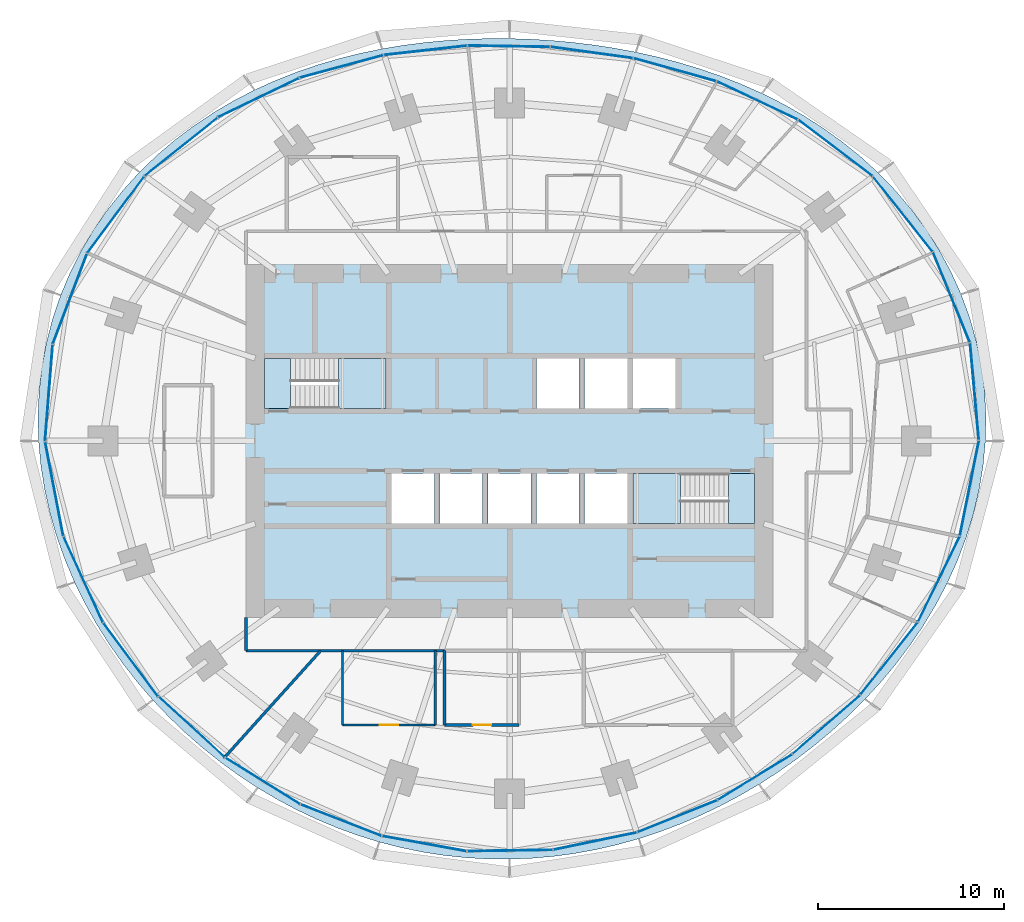
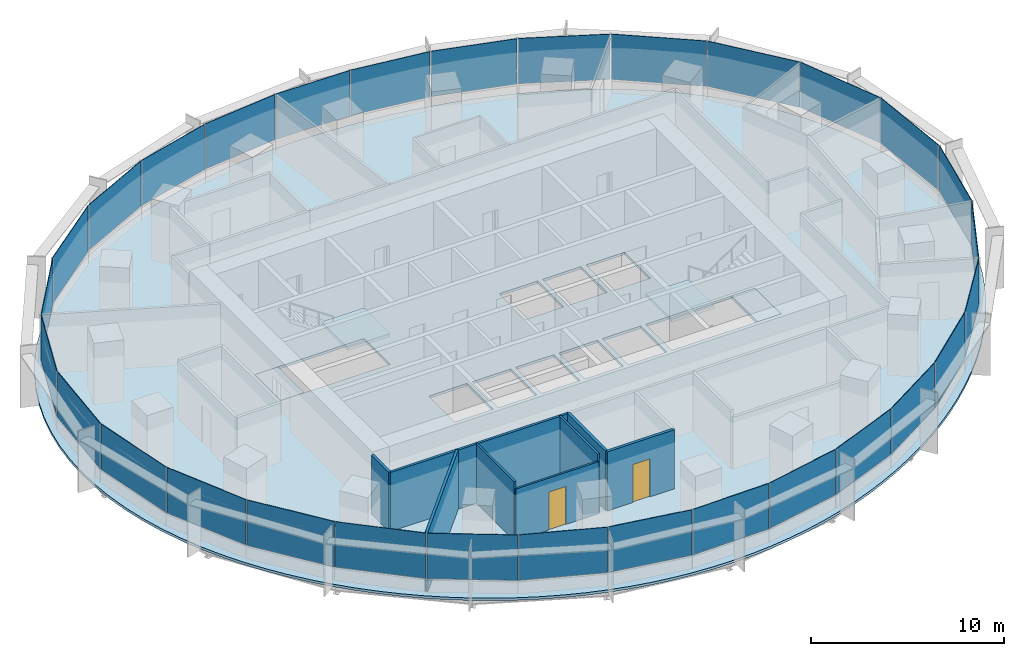
# One storey, part 9 of 14: 30 plates, 8 walls, 5 slabs, 2 doors, 2 openings, 8 elements without a shape of their own.
"""IFC4 building model written with IfcOpenShell, lengths in metres."""

from ifc_helpers import new_model, si_unit, direction, frame, frame_2d, origin, origin_2d, place, context, subcontext, project, spatial, polyline, rectangle, outline, extrude, material, layer, layer_set, type_object, element, fill, aggregate, save


model = new_model("IFC4")

# Units and contexts
model_context = context("Model", 3, precision=1e-05, world=origin(), true_north=direction((0.0, 1.0)))
body_context = subcontext(model_context, "Body", "Model", "MODEL_VIEW")
ifc_project = project(units=[si_unit("LENGTHUNIT", "METRE"), si_unit("AREAUNIT", "SQUARE_METRE"), si_unit("VOLUMEUNIT", "CUBIC_METRE"), si_unit("PLANEANGLEUNIT", "RADIAN"), si_unit("MASSUNIT", "GRAM", prefix="KILO")], contexts=[model_context])

# Site, building, storey
site_placement = place(None, origin())
site = spatial("IfcSite", under=ifc_project, at=site_placement, CompositionType="ELEMENT")
building_placement = place(site_placement, origin())
building = spatial("IfcBuilding", under=site, at=building_placement, Name="Marramba Exchange Tower", CompositionType="ELEMENT")
storey_placement = place(building_placement, frame((0.0, 0.0, 131.39990234375)))
storey = spatial("IfcBuildingStorey", under=building, at=storey_placement, Name="L31", CompositionType="ELEMENT", Elevation=131.39990234375)

# Slab
ifc_material_1 = material(Name="Concrete N40", Category="concrete")
ifc_layer_1 = layer(ifc_material_1, 0.159912109375)
ifc_layer_set_1 = layer_set([ifc_layer_1], Name="Composite floor slab 160")
slab_type_1 = type_object("IfcSlabType", Name="Composite floor slab 160", PredefinedType="FLOOR", material=ifc_layer_set_1)
slab_1_placement = place(storey_placement, frame((0.0, 0.0, -0.159912109375)))
element("IfcSlab", 1, at=slab_1_placement, inside=storey, type_object=slab_type_1, Name="Floor slab L31", PredefinedType="FLOOR", context=body_context, shape_type="SweptSolid", body=[
    extrude(outline(polyline([(25.632080078125, 0.0), (25.66064453125, 1.3447265625), (25.59033203125, 2.689697265625), (25.420166015625, 4.026123046875), (25.15087890625, 5.345947265625), (24.7841796875, 6.640869140625), (24.322998046875, 7.903076171875), (23.771484375, 9.125), (23.135009765625, 10.30029296875), (22.419677734375, 11.42333984375), (21.632080078125, 12.4892578125), (20.779541015625, 13.494384765625), (19.869384765625, 14.43603515625), (18.9091796875, 15.3125), (17.90625, 16.122802734375), (16.86767578125, 16.86767578125), (15.800048828125, 17.5478515625), (14.70947265625, 18.164794921875), (13.6015625, 18.720947265625), (12.48095703125, 19.218994140625), (11.3515625, 19.66162109375), (10.217041015625, 20.05224609375), (9.079833984375, 20.393798828125), (7.94189453125, 20.689453125), (6.804443359375, 20.942138671875), (5.668212890625, 21.154296875), (4.533447265625, 21.328369140625), (3.39990234375, 21.46630859375), (2.26708984375, 21.5693359375), (1.134033203125, 21.63818359375), (0.0, 21.673095703125), (-1.135986328125, 21.673828125), (-2.2744140625, 21.6396484375), (-3.416259765625, 21.5693359375), (-4.5615234375, 21.460693359375), (-5.71044921875, 21.31201171875), (-6.8623046875, 21.1201171875), (-8.01611328125, 20.8828125), (-9.170166015625, 20.5966796875), (-10.322509765625, 20.2587890625), (-11.4697265625, 19.8662109375), (-12.60888671875, 19.415771484375), (-13.7353515625, 18.905029296875), (-14.8447265625, 18.331787109375), (-15.931640625, 17.69384765625), (-16.989990234375, 16.989990234375), (-18.013916015625, 16.2197265625), (-18.996826171875, 15.38330078125), (-19.931884765625, 14.4814453125), (-20.8125, 13.515869140625), (-21.632080078125, 12.4892578125), (-22.384033203125, 11.4052734375), (-23.0625, 10.26806640625), (-23.661865234375, 9.0830078125), (-24.177734375, 7.855712890625), (-24.605712890625, 6.593017578125), (-24.943603515625, 5.302001953125), (-25.18896484375, 3.989501953125), (-25.341064453125, 2.663330078125), (-25.400390625, 1.3310546875), (-25.367919921875, 0.0), (-25.246337890625, -1.322998046875), (-25.038818359375, -2.631591796875), (-24.748779296875, -3.919921875), (-24.381103515625, -5.182373046875), (-23.940185546875, -6.414794921875), (-23.431396484375, -7.61328125), (-22.859130859375, -8.77490234375), (-22.22900390625, -9.89697265625), (-21.545166015625, -10.977783203125), (-20.81201171875, -12.015869140625), (-20.033935546875, -13.010009765625), (-19.2138671875, -13.959716796875), (-18.35546875, -14.86376953125), (-17.461181640625, -15.72216796875), (-16.53369140625, -16.53369140625), (-15.5751953125, -17.298095703125), (-14.587646484375, -18.014404296875), (-13.5732421875, -18.681884765625), (-12.533203125, -19.299560546875), (-11.4697265625, -19.8662109375), (-10.384765625, -20.381103515625), (-9.27978515625, -20.8427734375), (-8.157470703125, -21.250732421875), (-7.019287109375, -21.603271484375), (-5.8681640625, -21.900146484375), (-4.7060546875, -22.14013671875), (-3.53564453125, -22.322998046875), (-2.359375, -22.448486328125), (-1.179931640625, -22.516357421875), (0.0, -22.52685546875), (1.17822265625, -22.480712890625), (2.35205078125, -22.3779296875), (3.519287109375, -22.22021484375), (4.677978515625, -22.0078125), (5.825927734375, -21.742431640625), (6.96142578125, -21.425048828125), (8.0830078125, -21.05712890625), (9.189453125, -20.639892578125), (10.279296875, -20.17431640625), (11.3515625, -19.66162109375), (12.4052734375, -19.1025390625), (13.439453125, -18.497802734375), (14.45263671875, -17.847412109375), (15.44384765625, -17.152099609375), (16.411376953125, -16.411376953125), (17.353515625, -15.625244140625), (18.267822265625, -14.79296875), (19.1513671875, -13.914306640625), (20.000732421875, -12.98876953125), (20.81201171875, -12.015869140625), (21.580810546875, -10.995849609375), (22.301513671875, -9.92919921875), (22.96875, -8.81689453125), (23.57666015625, -7.660400390625), (24.11865234375, -6.462646484375), (24.588623046875, -5.2265625), (24.980224609375, -3.95654296875), (25.2880859375, -2.657958984375), (25.5068359375, -1.336669921875), (25.632080078125, 0.0)]), holes=[polyline([(1.449951171875, 1.75), (3.75, 1.75), (3.75, 4.449951171875), (1.449951171875, 4.449951171875), (1.449951171875, 1.75)]), polyline([(4.050048828125, 1.75), (6.35009765625, 1.75), (6.35009765625, 4.449951171875), (4.050048828125, 4.449951171875), (4.050048828125, 1.75)]), polyline([(-6.35009765625, -4.449951171875), (-4.050048828125, -4.449951171875), (-4.050048828125, -1.75), (-6.35009765625, -1.75), (-6.35009765625, -4.449951171875)]), polyline([(-3.75, -4.449951171875), (-1.449951171875, -4.449951171875), (-1.449951171875, -1.75), (-3.75, -1.75), (-3.75, -4.449951171875)]), polyline([(-1.14990234375, -4.449951171875), (1.14990234375, -4.449951171875), (1.14990234375, -1.75), (-1.14990234375, -1.75), (-1.14990234375, -4.449951171875)]), polyline([(1.449951171875, -4.449951171875), (3.75, -4.449951171875), (3.75, -1.75), (1.449951171875, -1.75), (1.449951171875, -4.449951171875)]), polyline([(4.050048828125, -4.449951171875), (6.35009765625, -4.449951171875), (6.35009765625, -1.75), (4.050048828125, -1.75), (4.050048828125, -4.449951171875)]), polyline([(6.64990234375, 1.75), (8.949951171875, 1.75), (8.949951171875, 4.449951171875), (6.64990234375, 4.449951171875), (6.64990234375, 1.75)]), polyline([(-13.199951171875, 1.75), (-6.64990234375, 1.75), (-6.64990234375, 4.449951171875), (-13.199951171875, 4.449951171875), (-13.199951171875, 1.75)]), polyline([(6.64990234375, -4.449951171875), (13.199951171875, -4.449951171875), (13.199951171875, -1.75), (6.64990234375, -1.75), (6.64990234375, -4.449951171875)])]), origin(), (0.0, 0.0, 1.0), 0.159912109375),
])

# Curtain wall, plates
ifc_material_2 = material(Name="Aluminium framing, bronze anodised", Category="aluminium")
curtain_wall_type = type_object("IfcCurtainWallType", Name="Office ribbon curtain wall", PredefinedType="USERDEFINED", material=ifc_material_2)
curtain_wall_1_placement = place(storey_placement, origin())
curtain_wall_1 = element("IfcCurtainWall", 2, at=curtain_wall_1_placement, inside=storey, type_object=curtain_wall_type, Name="Curtain wall CW4 L31 F01-F05", ObjectType="RIBBON CURTAIN WALL", PredefinedType="USERDEFINED")
ifc_material_3 = material(Name="Laminated double glazed unit 10.76 + 16 + 10.76, bronze tinted", Category="glass")
ifc_layer_2 = layer(ifc_material_3, 0.03759765625)
ifc_layer_set_2 = layer_set([ifc_layer_2], Name="Office ribbon curtain wall panel")
plate_type = type_object("IfcPlateType", Name="Office ribbon curtain wall panel", PredefinedType="CURTAIN_PANEL", material=ifc_layer_set_2)
plate_1_placement = place(storey_placement, frame((25.042724609375, 2.66650390625, 0.860107421875), z_axis=(0.0, 0.0, 1.0), x_axis=(-0.089412887889, 0.995994646311, 0.0)))
plate_1 = element("IfcPlate", 3, at=plate_1_placement, type_object=plate_type, Name="CW4 vision panel", PredefinedType="CURTAIN_PANEL", context=body_context, shape_type="SweptSolid", body=[
    extrude(rectangle(XDim=5.234375, YDim=0.03759765625, at=origin_2d()), origin(), (0.0, 0.0, 1.0), 2.8798828125),
])
plate_2_placement = place(storey_placement, frame((23.800537109375, 7.743408203125, 0.860107421875), z_axis=(0.0, 0.0, 1.0), x_axis=(-0.377821183171, 0.925878584668, 0.0)))
plate_2 = element("IfcPlate", 4, at=plate_2_placement, type_object=plate_type, Name="CW4 vision panel", PredefinedType="CURTAIN_PANEL", context=body_context, shape_type="SweptSolid", body=[
    extrude(rectangle(XDim=5.2158203125, YDim=0.03759765625, at=origin_2d()), origin(), (0.0, 0.0, 1.0), 2.8798828125),
])
plate_3_placement = place(storey_placement, frame((21.18212890625, 12.217529296875, 0.860107421875), z_axis=(0.0, 0.0, 1.0), x_axis=(-0.621312004611, 0.783563266703, 0.0)))
plate_3 = element("IfcPlate", 5, at=plate_3_placement, type_object=plate_type, Name="CW4 vision panel", PredefinedType="CURTAIN_PANEL", context=body_context, shape_type="SweptSolid", body=[
    extrude(rectangle(XDim=5.136962890625, YDim=0.03759765625, at=origin_2d()), origin(), (0.0, 0.0, 1.0), 2.8798828125),
])
plate_4_placement = place(storey_placement, frame((17.55224609375, 15.777099609375, 0.860107421875), z_axis=(0.0, 0.0, 1.0), x_axis=(-0.795971748366, 0.60533377223, 0.0)))
plate_4 = element("IfcPlate", 6, at=plate_4_placement, type_object=plate_type, Name="CW4 vision panel", PredefinedType="CURTAIN_PANEL", context=body_context, shape_type="SweptSolid", body=[
    extrude(rectangle(XDim=4.990966796875, YDim=0.03759765625, at=origin_2d()), origin(), (0.0, 0.0, 1.0), 2.8798828125),
])
plate_5_placement = place(storey_placement, frame((13.34423828125, 18.3359375, 0.860107421875), z_axis=(0.0, 0.0, 1.0), x_axis=(-0.904403137485, 0.426678995157, 0.0)))
plate_5 = element("IfcPlate", 7, at=plate_5_placement, type_object=plate_type, Name="CW4 vision panel", PredefinedType="CURTAIN_PANEL", context=body_context, shape_type="SweptSolid", body=[
    extrude(rectangle(XDim=4.793212890625, YDim=0.03759765625, at=origin_2d()), origin(), (0.0, 0.0, 1.0), 2.8798828125),
])
aggregate(curtain_wall_1, [plate_1, plate_2, plate_3, plate_4, plate_5])

curtain_wall_2_placement = place(storey_placement, origin())
curtain_wall_2 = element("IfcCurtainWall", 8, at=curtain_wall_2_placement, inside=storey, type_object=curtain_wall_type, Name="Curtain wall CW4 L31 F06-F10", ObjectType="RIBBON CURTAIN WALL", PredefinedType="USERDEFINED")
plate_6_placement = place(storey_placement, frame((8.907470703125, 19.991943359375, 0.860107421875), z_axis=(0.0, 0.0, 1.0), x_axis=(-0.963177845956, 0.268865090816, 0.0)))
plate_6 = element("IfcPlate", 9, at=plate_6_placement, type_object=plate_type, Name="CW4 vision panel", PredefinedType="CURTAIN_PANEL", context=body_context, shape_type="SweptSolid", body=[
    extrude(rectangle(XDim=4.591552734375, YDim=0.03759765625, at=origin_2d()), origin(), (0.0, 0.0, 1.0), 2.8798828125),
])
plate_7_placement = place(storey_placement, frame((4.43359375, 20.919189453125, 0.860107421875), z_axis=(0.0, 0.0, 1.0), x_axis=(-0.990738212841, 0.135785837319, 0.0)))
plate_7 = element("IfcPlate", 10, at=plate_7_placement, type_object=plate_type, Name="CW4 vision panel", PredefinedType="CURTAIN_PANEL", context=body_context, shape_type="SweptSolid", body=[
    extrude(rectangle(XDim=4.447509765625, YDim=0.03759765625, at=origin_2d()), origin(), (0.0, 0.0, 1.0), 2.8798828125),
])
plate_8_placement = place(storey_placement, frame((-0.03369140625, 21.2568359375, 0.860107421875), z_axis=(0.0, 0.0, 1.0), x_axis=(-0.999875869968, 0.01575578169, 0.0)))
plate_8 = element("IfcPlate", 11, at=plate_8_placement, type_object=plate_type, Name="CW4 vision panel", PredefinedType="CURTAIN_PANEL", context=body_context, shape_type="SweptSolid", body=[
    extrude(rectangle(XDim=4.408935546875, YDim=0.03759765625, at=origin_2d()), origin(), (0.0, 0.0, 1.0), 2.8798828125),
])
plate_9_placement = place(storey_placement, frame((-4.52587890625, 21.0361328125, 0.860107421875), z_axis=(0.0, 0.0, 1.0), x_axis=(-0.993823395532, -0.110973233233, 0.0)))
plate_9 = element("IfcPlate", 12, at=plate_9_placement, type_object=plate_type, Name="CW4 vision panel", PredefinedType="CURTAIN_PANEL", context=body_context, shape_type="SweptSolid", body=[
    extrude(rectangle(XDim=4.484375, YDim=0.03759765625, at=origin_2d()), origin(), (0.0, 0.0, 1.0), 2.8798828125),
])
plate_10_placement = place(storey_placement, frame((-9.053466796875, 20.16748046875, 0.860107421875), z_axis=(0.0, 0.0, 1.0), x_axis=(-0.965522047176, -0.260321294588, 0.0)))
plate_10 = element("IfcPlate", 13, at=plate_10_placement, type_object=plate_type, Name="CW4 vision panel", PredefinedType="CURTAIN_PANEL", context=body_context, shape_type="SweptSolid", body=[
    extrude(rectangle(XDim=4.642578125, YDim=0.03759765625, at=origin_2d()), origin(), (0.0, 0.0, 1.0), 2.8798828125),
])
aggregate(curtain_wall_2, [plate_6, plate_7, plate_8, plate_9, plate_10])

curtain_wall_3_placement = place(storey_placement, origin())
curtain_wall_3 = element("IfcCurtainWall", 14, at=curtain_wall_3_placement, inside=storey, type_object=curtain_wall_type, Name="Curtain wall CW4 L31 F11-F15", ObjectType="RIBBON CURTAIN WALL", PredefinedType="USERDEFINED")
plate_11_placement = place(storey_placement, frame((-13.52294921875, 18.4853515625, 0.860107421875), z_axis=(0.0, 0.0, 1.0), x_axis=(-0.900223739881, -0.435427626771, 0.0)))
plate_11 = element("IfcPlate", 15, at=plate_11_placement, type_object=plate_type, Name="CW4 vision panel", PredefinedType="CURTAIN_PANEL", context=body_context, shape_type="SweptSolid", body=[
    extrude(rectangle(XDim=4.83056640625, YDim=0.03759765625, at=origin_2d()), origin(), (0.0, 0.0, 1.0), 2.8798828125),
])
plate_12_placement = place(storey_placement, frame((-17.696533203125, 15.8359375, 0.860107421875), z_axis=(0.0, 0.0, 1.0), x_axis=(-0.78117833008, -0.624307950145, 0.0)))
plate_12 = element("IfcPlate", 16, at=plate_12_placement, type_object=plate_type, Name="CW4 vision panel", PredefinedType="CURTAIN_PANEL", context=body_context, shape_type="SweptSolid", body=[
    extrude(rectangle(XDim=4.998291015625, YDim=0.03759765625, at=origin_2d()), origin(), (0.0, 0.0, 1.0), 2.8798828125),
])
plate_13_placement = place(storey_placement, frame((-21.213623046875, 12.1767578125, 0.860107421875), z_axis=(0.0, 0.0, 1.0), x_axis=(-0.597703997504, -0.80171686484, 0.0)))
plate_13 = element("IfcPlate", 17, at=plate_13_placement, type_object=plate_type, Name="CW4 vision panel", PredefinedType="CURTAIN_PANEL", context=body_context, shape_type="SweptSolid", body=[
    extrude(rectangle(XDim=5.116455078125, YDim=0.03759765625, at=origin_2d()), origin(), (0.0, 0.0, 1.0), 2.8798828125),
])
plate_14_placement = place(storey_placement, frame((-23.6826171875, 7.6494140625, 0.860107421875), z_axis=(0.0, 0.0, 1.0), x_axis=(-0.354844468484, -0.934925346317, 0.0)))
plate_14 = element("IfcPlate", 18, at=plate_14_placement, type_object=plate_type, Name="CW4 vision panel", PredefinedType="CURTAIN_PANEL", context=body_context, shape_type="SweptSolid", body=[
    extrude(rectangle(XDim=5.177490234375, YDim=0.03759765625, at=origin_2d()), origin(), (0.0, 0.0, 1.0), 2.8798828125),
])
plate_15_placement = place(storey_placement, frame((-24.81201171875, 2.584716796875, 0.860107421875), z_axis=(0.0, 0.0, 1.0), x_axis=(-0.079459696383, -0.996838079455, 0.0)))
plate_15 = element("IfcPlate", 19, at=plate_15_placement, type_object=plate_type, Name="CW4 vision panel", PredefinedType="CURTAIN_PANEL", context=body_context, shape_type="SweptSolid", body=[
    extrude(rectangle(XDim=5.185791015625, YDim=0.03759765625, at=origin_2d()), origin(), (0.0, 0.0, 1.0), 2.8798828125),
])
aggregate(curtain_wall_3, [plate_11, plate_12, plate_13, plate_14, plate_15])

curtain_wall_4_placement = place(storey_placement, origin())
curtain_wall_4 = element("IfcCurtainWall", 20, at=curtain_wall_4_placement, inside=storey, type_object=curtain_wall_type, Name="Curtain wall CW4 L31 F16-F20", ObjectType="RIBBON CURTAIN WALL", PredefinedType="USERDEFINED")
plate_16_placement = place(storey_placement, frame((-24.522705078125, -2.584228515625, 0.860107421875), z_axis=(0.0, 0.0, 1.0), x_axis=(0.18822721487, -0.982125509078, 0.0)))
plate_16 = element("IfcPlate", 21, at=plate_16_placement, type_object=plate_type, Name="CW4 vision panel", PredefinedType="CURTAIN_PANEL", context=body_context, shape_type="SweptSolid", body=[
    extrude(rectangle(XDim=5.142578125, YDim=0.03759765625, at=origin_2d()), origin(), (0.0, 0.0, 1.0), 2.8798828125),
])
plate_17_placement = place(storey_placement, frame((-22.96142578125, -7.45947265625, 0.860107421875), z_axis=(0.0, 0.0, 1.0), x_axis=(0.416737848929, -0.909026713177, 0.0)))
plate_17 = element("IfcPlate", 22, at=plate_17_placement, type_object=plate_type, Name="CW4 vision panel", PredefinedType="CURTAIN_PANEL", context=body_context, shape_type="SweptSolid", body=[
    extrude(rectangle(XDim=5.0498046875, YDim=0.03759765625, at=origin_2d()), origin(), (0.0, 0.0, 1.0), 2.8798828125),
])
plate_18_placement = place(storey_placement, frame((-20.402099609375, -11.7783203125, 0.860107421875), z_axis=(0.0, 0.0, 1.0), x_axis=(0.597304697033, -0.802014400683, 0.0)))
plate_18 = element("IfcPlate", 23, at=plate_18_placement, type_object=plate_type, Name="CW4 vision panel", PredefinedType="CURTAIN_PANEL", context=body_context, shape_type="SweptSolid", body=[
    extrude(rectangle(XDim=4.926513671875, YDim=0.03759765625, at=origin_2d()), origin(), (0.0, 0.0, 1.0), 2.8798828125),
])
plate_19_placement = place(storey_placement, frame((-17.11376953125, -15.416259765625, 0.860107421875), z_axis=(0.0, 0.0, 1.0), x_axis=(0.737821886077, -0.674995455115, 0.0)))
plate_19 = element("IfcPlate", 24, at=plate_19_placement, type_object=plate_type, Name="CW4 vision panel", PredefinedType="CURTAIN_PANEL", context=body_context, shape_type="SweptSolid", body=[
    extrude(rectangle(XDim=4.80517578125, YDim=0.03759765625, at=origin_2d()), origin(), (0.0, 0.0, 1.0), 2.8798828125),
])
plate_20_placement = place(storey_placement, frame((-13.29248046875, -18.31640625, 0.860107421875), z_axis=(0.0, 0.0, 1.0), x_axis=(0.84835459748, -0.52942844364, 0.0)))
plate_20 = element("IfcPlate", 25, at=plate_20_placement, type_object=plate_type, Name="CW4 vision panel", PredefinedType="CURTAIN_PANEL", context=body_context, shape_type="SweptSolid", body=[
    extrude(rectangle(XDim=4.70947265625, YDim=0.03759765625, at=origin_2d()), origin(), (0.0, 0.0, 1.0), 2.8798828125),
])
aggregate(curtain_wall_4, [plate_16, plate_17, plate_18, plate_19, plate_20])

curtain_wall_5_placement = place(storey_placement, origin())
curtain_wall_5 = element("IfcCurtainWall", 26, at=curtain_wall_5_placement, inside=storey, type_object=curtain_wall_type, Name="Curtain wall CW4 L31 F21-F25", ObjectType="RIBBON CURTAIN WALL", PredefinedType="USERDEFINED")
plate_21_placement = place(storey_placement, frame((-9.074951171875, -20.427734375, 0.860107421875), z_axis=(0.0, 0.0, 1.0), x_axis=(0.931818390344, -0.36292490603, 0.0)))
plate_21 = element("IfcPlate", 27, at=plate_21_placement, type_object=plate_type, Name="CW4 vision panel", PredefinedType="CURTAIN_PANEL", context=body_context, shape_type="SweptSolid", body=[
    extrude(rectangle(XDim=4.644287109375, YDim=0.03759765625, at=origin_2d()), origin(), (0.0, 0.0, 1.0), 2.8798828125),
])
plate_22_placement = place(storey_placement, frame((-4.58740234375, -21.690673828125, 0.860107421875), z_axis=(0.0, 0.0, 1.0), x_axis=(0.984031865834, -0.177992379115, 0.0)))
plate_22 = element("IfcPlate", 28, at=plate_22_placement, type_object=plate_type, Name="CW4 vision panel", PredefinedType="CURTAIN_PANEL", context=body_context, shape_type="SweptSolid", body=[
    extrude(rectangle(XDim=4.602783203125, YDim=0.03759765625, at=origin_2d()), origin(), (0.0, 0.0, 1.0), 2.8798828125),
])
plate_23_placement = place(storey_placement, frame((0.0263671875, -22.064697265625, 0.860107421875), z_axis=(0.0, 0.0, 1.0), x_axis=(0.999884797709, 0.015178646521, 0.0)))
plate_23 = element("IfcPlate", 29, at=plate_23_placement, type_object=plate_type, Name="CW4 vision panel", PredefinedType="CURTAIN_PANEL", context=body_context, shape_type="SweptSolid", body=[
    extrude(rectangle(XDim=4.578857421875, YDim=0.03759765625, at=origin_2d()), origin(), (0.0, 0.0, 1.0), 2.8798828125),
])
plate_24_placement = place(storey_placement, frame((4.61376953125, -21.554931640625, 0.860107421875), z_axis=(0.0, 0.0, 1.0), x_axis=(0.979310199794, 0.202364850159, 0.0)))
plate_24 = element("IfcPlate", 30, at=plate_24_placement, type_object=plate_type, Name="CW4 vision panel", PredefinedType="CURTAIN_PANEL", context=body_context, shape_type="SweptSolid", body=[
    extrude(rectangle(XDim=4.57373046875, YDim=0.03759765625, at=origin_2d()), origin(), (0.0, 0.0, 1.0), 2.8798828125),
])
plate_25_placement = place(storey_placement, frame((9.042724609375, -20.214111328125, 0.860107421875), z_axis=(0.0, 0.0, 1.0), x_axis=(0.928148916059, 0.372209067082, 0.0)))
plate_25 = element("IfcPlate", 31, at=plate_25_placement, type_object=plate_type, Name="CW4 vision panel", PredefinedType="CURTAIN_PANEL", context=body_context, shape_type="SweptSolid", body=[
    extrude(rectangle(XDim=4.59814453125, YDim=0.03759765625, at=origin_2d()), origin(), (0.0, 0.0, 1.0), 2.8798828125),
])
aggregate(curtain_wall_5, [plate_21, plate_22, plate_23, plate_24, plate_25])

curtain_wall_6_placement = place(storey_placement, origin())
curtain_wall_6 = element("IfcCurtainWall", 32, at=curtain_wall_6_placement, inside=storey, type_object=curtain_wall_type, Name="Curtain wall CW4 L31 F26-F30", ObjectType="RIBBON CURTAIN WALL", PredefinedType="USERDEFINED")
plate_26_placement = place(storey_placement, frame((13.21875, -18.109619140625, 0.860107421875), z_axis=(0.0, 0.0, 1.0), x_axis=(0.853109114492, 0.521732535664, 0.0)))
plate_26 = element("IfcPlate", 33, at=plate_26_placement, type_object=plate_type, Name="CW4 vision panel", PredefinedType="CURTAIN_PANEL", context=body_context, shape_type="SweptSolid", body=[
    extrude(rectangle(XDim=4.66748046875, YDim=0.03759765625, at=origin_2d()), origin(), (0.0, 0.0, 1.0), 2.8798828125),
])
plate_27_placement = place(storey_placement, frame((17.0615234375, -15.280517578125, 0.860107421875), z_axis=(0.0, 0.0, 1.0), x_axis=(0.754385506384, 0.656431647438, 0.0)))
plate_27 = element("IfcPlate", 34, at=plate_27_placement, type_object=plate_type, Name="CW4 vision panel", PredefinedType="CURTAIN_PANEL", context=body_context, shape_type="SweptSolid", body=[
    extrude(rectangle(XDim=4.789794921875, YDim=0.03759765625, at=origin_2d()), origin(), (0.0, 0.0, 1.0), 2.8798828125),
])
plate_28_placement = place(storey_placement, frame((20.443603515625, -11.724365234375, 0.860107421875), z_axis=(0.0, 0.0, 1.0), x_axis=(0.621807472329, 0.783170139469, 0.0)))
plate_28 = element("IfcPlate", 35, at=plate_28_placement, type_object=plate_type, Name="CW4 vision panel", PredefinedType="CURTAIN_PANEL", context=body_context, shape_type="SweptSolid", body=[
    extrude(rectangle(XDim=4.947265625, YDim=0.03759765625, at=origin_2d()), origin(), (0.0, 0.0, 1.0), 2.8798828125),
])
plate_29_placement = place(storey_placement, frame((23.127197265625, -7.443359375, 0.860107421875), z_axis=(0.0, 0.0, 1.0), x_axis=(0.439086342308, 0.89844486976, 0.0)))
plate_29 = element("IfcPlate", 36, at=plate_29_placement, type_object=plate_type, Name="CW4 vision panel", PredefinedType="CURTAIN_PANEL", context=body_context, shape_type="SweptSolid", body=[
    extrude(rectangle(XDim=5.096923828125, YDim=0.03759765625, at=origin_2d()), origin(), (0.0, 0.0, 1.0), 2.8798828125),
])
plate_30_placement = place(storey_placement, frame((24.77001953125, -2.54736328125, 0.860107421875), z_axis=(0.0, 0.0, 1.0), x_axis=(0.197048511267, 0.980393739376, 0.0)))
plate_30 = element("IfcPlate", 37, at=plate_30_placement, type_object=plate_type, Name="CW4 vision panel", PredefinedType="CURTAIN_PANEL", context=body_context, shape_type="SweptSolid", body=[
    extrude(rectangle(XDim=5.19677734375, YDim=0.03759765625, at=origin_2d()), origin(), (0.0, 0.0, 1.0), 2.8798828125),
])
aggregate(curtain_wall_6, [plate_26, plate_27, plate_28, plate_29, plate_30])

# Stair, slabs
ifc_material_4 = material(Name="Concrete N40 (40 MPa)", Category="concrete")
stair_type_1 = type_object("IfcStairType", Name="Exit stair ST1 3900 x 1250", PredefinedType="HALF_TURN_STAIR", material=ifc_material_4)
stair_1_placement = place(storey_placement, origin())
stair_1 = element("IfcStair", 38, at=stair_1_placement, inside=storey, type_object=stair_type_1, Name="Exit stair ST1 L31", PredefinedType="HALF_TURN_STAIR")
ifc_layer_3 = layer(ifc_material_4, 0.199951171875)
ifc_layer_set_3 = layer_set([ifc_layer_3], Name="Stair landing 200")
slab_type_2 = type_object("IfcSlabType", Name="Stair landing 200", PredefinedType="LANDING", material=ifc_layer_set_3)
slab_2_placement = place(storey_placement, frame((0.0, 0.0, -0.199951171875)))
slab_2 = element("IfcSlab", 39, at=slab_2_placement, type_object=slab_type_2, Name="ST1 landing 1", PredefinedType="LANDING", context=body_context, shape_type="SweptSolid", body=[
    extrude(outline(polyline([(-13.199951171875, 1.75), (-11.800048828125, 1.75), (-11.800048828125, 4.449951171875), (-13.199951171875, 4.449951171875), (-13.199951171875, 1.75)])), origin(), (0.0, 0.0, 1.0), 0.199951171875),
])
slab_3_placement = place(storey_placement, frame((0.0, 0.0, 1.75)))
slab_3 = element("IfcSlab", 40, at=slab_3_placement, type_object=slab_type_2, Name="ST1 landing 2", PredefinedType="LANDING", context=body_context, shape_type="SweptSolid", body=[
    extrude(outline(polyline([(-9.199951171875, 1.75), (-6.64990234375, 1.75), (-6.64990234375, 4.449951171875), (-9.199951171875, 4.449951171875), (-9.199951171875, 1.75)])), origin(), (0.0, 0.0, 1.0), 0.2001953125),
])
aggregate(stair_1, [slab_2, slab_3])

stair_type_2 = type_object("IfcStairType", Name="Exit stair ST2 3900 x 1250", PredefinedType="HALF_TURN_STAIR", material=ifc_material_4)
stair_2_placement = place(storey_placement, origin())
stair_2 = element("IfcStair", 41, at=stair_2_placement, inside=storey, type_object=stair_type_2, Name="Exit stair ST2 L31", PredefinedType="HALF_TURN_STAIR")
slab_4_placement = place(storey_placement, frame((0.0, 0.0, -0.199951171875)))
slab_4 = element("IfcSlab", 42, at=slab_4_placement, type_object=slab_type_2, Name="ST2 landing 1", PredefinedType="LANDING", context=body_context, shape_type="SweptSolid", body=[
    extrude(outline(polyline([(11.800048828125, -4.449951171875), (13.199951171875, -4.449951171875), (13.199951171875, -1.75), (11.800048828125, -1.75), (11.800048828125, -4.449951171875)])), origin(), (0.0, 0.0, 1.0), 0.199951171875),
])
slab_5_placement = place(storey_placement, frame((0.0, 0.0, 1.75)))
slab_5 = element("IfcSlab", 43, at=slab_5_placement, type_object=slab_type_2, Name="ST2 landing 2", PredefinedType="LANDING", context=body_context, shape_type="SweptSolid", body=[
    extrude(outline(polyline([(6.64990234375, -4.449951171875), (9.199951171875, -4.449951171875), (9.199951171875, -1.75), (6.64990234375, -1.75), (6.64990234375, -4.449951171875)])), origin(), (0.0, 0.0, 1.0), 0.2001953125),
])
aggregate(stair_2, [slab_4, slab_5])

# Wall
ifc_material_5 = material(Name="Plasterboard on staggered double steel studs, acoustic insulation", Category="steel")
ifc_layer_4 = layer(ifc_material_5, 0.169921875)
ifc_layer_set_4 = layer_set([ifc_layer_4], Name="Acoustic partition 170")
wall_type_1 = type_object("IfcWallType", Name="Acoustic partition 170", PredefinedType="PARTITIONING", material=ifc_layer_set_4)
wall_1_placement = place(storey_placement, frame((-3.5, -11.300048828125, 0.0), z_axis=(0.0, 0.0, 1.0), x_axis=(0.0, -1.0, 0.0)))
element("IfcWall", 44, at=wall_1_placement, inside=storey, type_object=wall_type_1, Name="Acoustic partition L31 08", PredefinedType="PARTITIONING", context=body_context, shape_type="SweptSolid", body=[
    extrude(rectangle(XDim=4.0, YDim=0.169921875, at=frame_2d((2.0, 0.0))), origin(), (0.0, 0.0, 1.0), 3.739990234375),
])

# Wall, opening, door
wall_2_placement = place(storey_placement, frame((-3.5, -15.300048828125, 0.0), z_axis=(0.0, 0.0, 1.0), x_axis=(1.0, 0.0, 0.0)))
wall_2 = element("IfcWall", 45, at=wall_2_placement, inside=storey, type_object=wall_type_1, Name="Acoustic partition L31 10", PredefinedType="PARTITIONING", context=body_context, shape_type="SweptSolid", body=[
    extrude(rectangle(XDim=4.0, YDim=0.169921875, at=frame_2d((2.0, 0.0))), origin(), (0.0, 0.0, 1.0), 3.739990234375),
])
opening_1_placement = place(wall_2_placement, frame((1.52587890625, 0.0, 0.0)))
opening_1 = element("IfcOpeningElement", 46, at=opening_1_placement, cuts=wall_2, Name="Opening D9", PredefinedType="OPENING", context=body_context, shape_type="SweptSolid", body=[
    extrude(rectangle(XDim=1.0, YDim=2.39990234375, at=frame_2d((0.5, 1.199951171875))), frame((0.0, 0.094970703125, 0.0), z_axis=(0.0, -1.0, 0.0), x_axis=(1.0, 0.0, 0.0)), (0.0, 0.0, 1.0), 0.18994140625),
])
ifc_material_6 = material(Name="Timber door", Category="wood")
door_type = type_object("IfcDoorType", Name="Room door 1000x2400", OperationType="SINGLE_SWING_LEFT", PredefinedType="DOOR", material=ifc_material_6)
door_1_placement = place(opening_1_placement, origin())
door_1 = element("IfcDoor", 47, at=door_1_placement, inside=storey, type_object=door_type, Name="D9 Quiet Room 1 L31", OperationType="SINGLE_SWING_RIGHT", OverallHeight=2.39990234375, OverallWidth=1.0, PredefinedType="DOOR", context=body_context, shape_type="SweptSolid", body=[
    extrude(rectangle(XDim=1.0, YDim=2.39990234375, at=frame_2d((0.5, 1.199951171875))), frame((0.0, 0.02490234375, 0.0), z_axis=(0.0, -1.0, 0.0), x_axis=(1.0, 0.0, 0.0)), (0.0, 0.0, 1.0), 0.050048828125),
])
fill(opening_1, door_1)

# Wall
ifc_material_7 = material(Name="Plasterboard on steel studs", Category="steel")
ifc_layer_5 = layer(ifc_material_7, 0.1201171875)
ifc_layer_set_5 = layer_set([ifc_layer_5], Name="Partition 120")
wall_type_2 = type_object("IfcWallType", Name="Partition 120", PredefinedType="PARTITIONING", material=ifc_layer_set_5)
wall_3_placement = place(storey_placement, frame((-9.0, -11.300048828125, 0.0), z_axis=(0.0, 0.0, 1.0), x_axis=(0.0, -1.0, 0.0)))
element("IfcWall", 48, at=wall_3_placement, inside=storey, type_object=wall_type_2, Name="Partition L31 05", PredefinedType="PARTITIONING", context=body_context, shape_type="SweptSolid", body=[
    extrude(rectangle(XDim=4.0, YDim=0.1201171875, at=frame_2d((2.0, 0.0))), origin(), (0.0, 0.0, 1.0), 3.739990234375),
])

# Wall, opening, door
wall_4_placement = place(storey_placement, frame((-9.0, -15.300048828125, 0.0), z_axis=(0.0, 0.0, 1.0), x_axis=(1.0, 0.0, 0.0)))
wall_4 = element("IfcWall", 49, at=wall_4_placement, inside=storey, type_object=wall_type_2, Name="Partition L31 06", PredefinedType="PARTITIONING", context=body_context, shape_type="SweptSolid", body=[
    extrude(rectangle(XDim=5.0, YDim=0.1201171875, at=frame_2d((2.5, 0.0))), origin(), (0.0, 0.0, 1.0), 3.2861328125),
])
opening_2_placement = place(wall_4_placement, frame((2.0, 0.0, 0.0)))
opening_2 = element("IfcOpeningElement", 50, at=opening_2_placement, cuts=wall_4, Name="Opening D9", PredefinedType="OPENING", context=body_context, shape_type="SweptSolid", body=[
    extrude(rectangle(XDim=1.0, YDim=2.39990234375, at=frame_2d((0.5, 1.199951171875))), frame((0.0, 0.070068359375, 0.0), z_axis=(0.0, -1.0, 0.0), x_axis=(1.0, 0.0, 0.0)), (0.0, 0.0, 1.0), 0.14013671875),
])
door_2_placement = place(opening_2_placement, origin())
door_2 = element("IfcDoor", 51, at=door_2_placement, inside=storey, type_object=door_type, Name="D9 Pantry L31", OperationType="SINGLE_SWING_RIGHT", OverallHeight=2.39990234375, OverallWidth=1.0, PredefinedType="DOOR", context=body_context, shape_type="SweptSolid", body=[
    extrude(rectangle(XDim=1.0, YDim=2.39990234375, at=frame_2d((0.5, 1.199951171875))), frame((0.0, 0.02490234375, 0.0), z_axis=(0.0, -1.0, 0.0), x_axis=(1.0, 0.0, 0.0)), (0.0, 0.0, 1.0), 0.050048828125),
])
fill(opening_2, door_2)

# Walls
wall_5_placement = place(storey_placement, frame((-4.0, -15.300048828125, 0.0), z_axis=(0.0, 0.0, 1.0), x_axis=(0.0, 1.0, 0.0)))
element("IfcWall", 52, at=wall_5_placement, inside=storey, type_object=wall_type_2, Name="Partition L31 07", PredefinedType="PARTITIONING", context=body_context, shape_type="SweptSolid", body=[
    extrude(rectangle(XDim=4.0, YDim=0.1201171875, at=frame_2d((2.0, 0.0))), origin(), (0.0, 0.0, 1.0), 3.739990234375),
])
ifc_material_8 = material(Name="Fire-rated plasterboard on steel studs, acoustic insulation", Category="steel")
ifc_layer_6 = layer(ifc_material_8, 0.14990234375)
ifc_layer_set_6 = layer_set([ifc_layer_6], Name="Tenancy wall 150")
wall_type_3 = type_object("IfcWallType", Name="Tenancy wall 150", PredefinedType="PARTITIONING", material=ifc_layer_set_6)
wall_6_placement = place(storey_placement, frame((-14.199951171875, -9.5, 0.0), z_axis=(0.0, 0.0, 1.0), x_axis=(0.0, -1.0, 0.0)))
element("IfcWall", 53, at=wall_6_placement, inside=storey, type_object=wall_type_3, Name="Tenancy wall L31 02", PredefinedType="PARTITIONING", context=body_context, shape_type="SweptSolid", body=[
    extrude(rectangle(XDim=1.800048828125, YDim=0.14990234375, at=frame_2d((0.89990234375, 0.0))), origin(), (0.0, 0.0, 1.0), 3.739990234375),
])
wall_7_placement = place(storey_placement, frame((-15.28759765625, -16.978515625, 0.0), z_axis=(0.0, 0.0, 1.0), x_axis=(0.66913947005, 0.743136844478, 0.0)))
element("IfcWall", 54, at=wall_7_placement, inside=storey, type_object=wall_type_3, Name="Tenancy wall L31 03", PredefinedType="PARTITIONING", context=body_context, shape_type="SweptSolid", body=[
    extrude(rectangle(XDim=7.64111328125, YDim=0.14990234375, at=frame_2d((3.820556640625, 0.0))), origin(), (0.0, 0.0, 1.0), 3.739990234375),
])
wall_8_placement = place(storey_placement, frame((-14.199951171875, -11.300048828125, 0.0), z_axis=(0.0, 0.0, 1.0), x_axis=(1.0, 0.0, 0.0)))
element("IfcWall", 55, at=wall_8_placement, inside=storey, type_object=wall_type_3, Name="Tenancy wall L31 04", PredefinedType="PARTITIONING", context=body_context, shape_type="SweptSolid", body=[
    extrude(rectangle(XDim=10.699951171875, YDim=0.14990234375, at=frame_2d((5.35009765625, 0.0))), origin(), (0.0, 0.0, 1.0), 3.739990234375),
])

save(model, "model.ifc")
